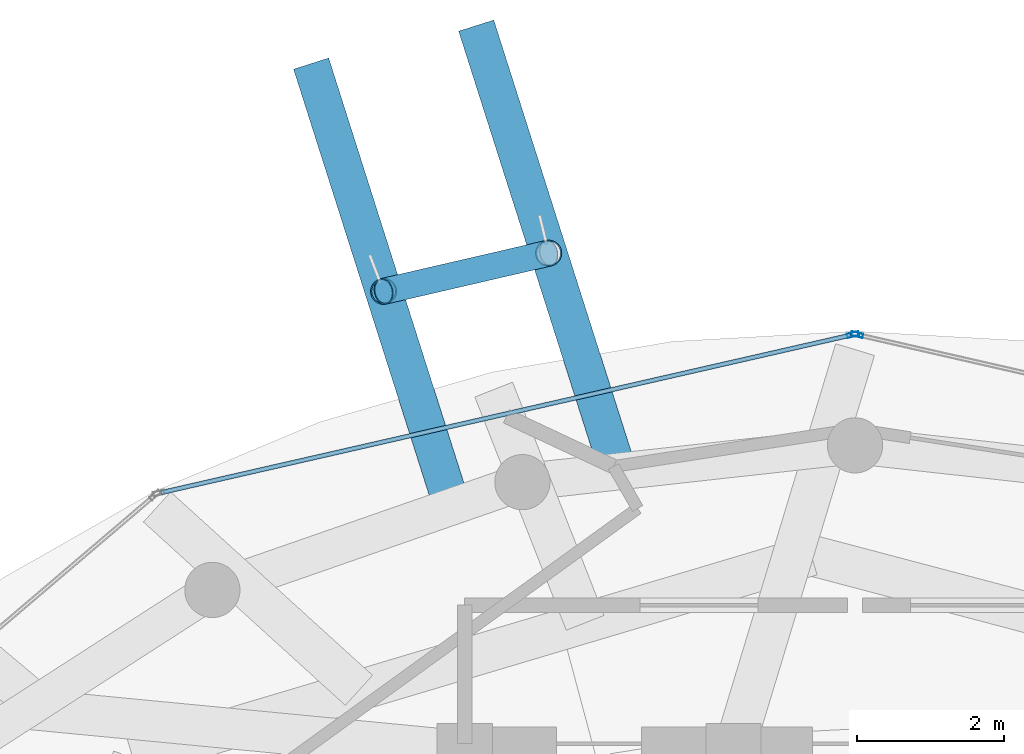
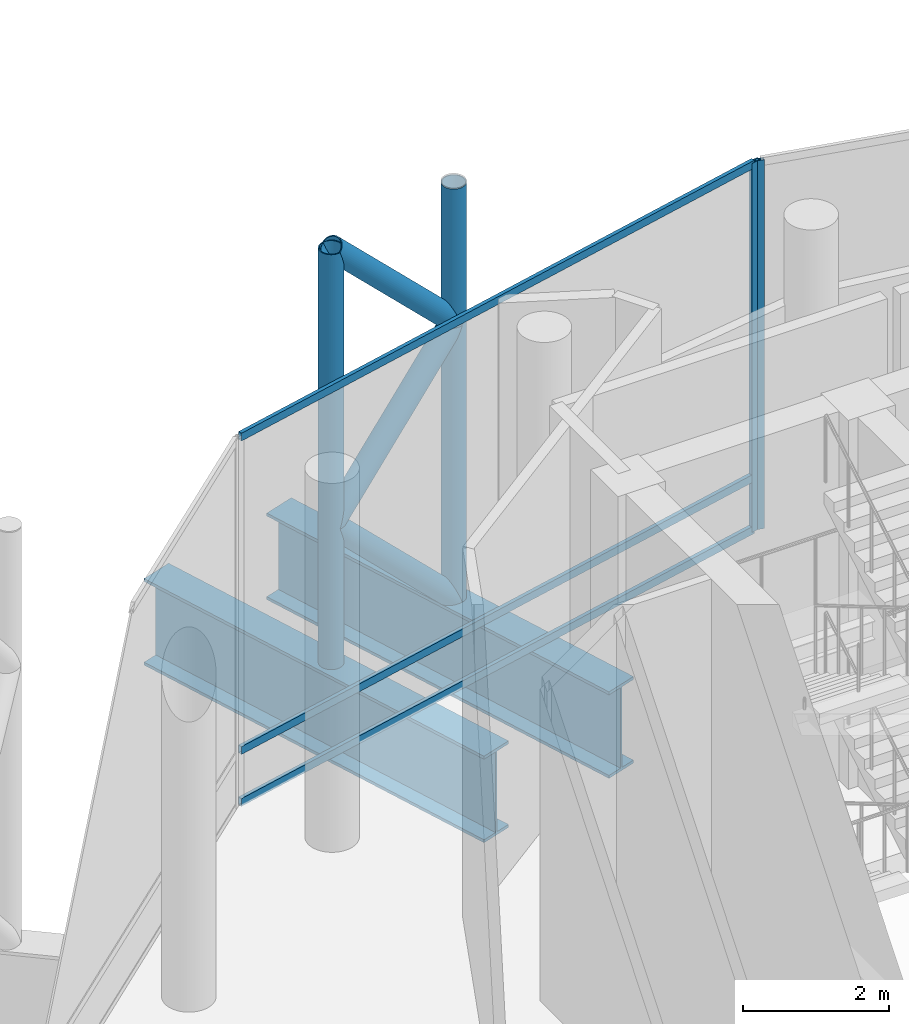
# One storey, part 18 of 26: 10 members, 2 beams, 2 elements without a shape of their own.
"""IFC4 building model written with IfcOpenShell, lengths in metres."""

from ifc_helpers import new_model, si_unit, direction, frame, origin, origin_2d, place, context, subcontext, project, spatial, hollow_rectangle, hollow_circle, i_section, extrude, material, layer, layer_set, material_profile, profile_set, type_object, element, aggregate, save


model = new_model("IFC4")

# Units and contexts
model_context = context("Model", 3, precision=1e-05, world=origin(), true_north=direction((0.0, 1.0)))
body_context = subcontext(model_context, "Body", "Model", "MODEL_VIEW")
ifc_project = project(units=[si_unit("LENGTHUNIT", "METRE"), si_unit("AREAUNIT", "SQUARE_METRE"), si_unit("VOLUMEUNIT", "CUBIC_METRE"), si_unit("PLANEANGLEUNIT", "RADIAN"), si_unit("MASSUNIT", "GRAM", prefix="KILO")], contexts=[model_context])

# Site, building, storey
site_placement = place(None, origin())
site = spatial("IfcSite", under=ifc_project, at=site_placement, CompositionType="ELEMENT")
building_placement = place(site_placement, origin())
building = spatial("IfcBuilding", under=site, at=building_placement, Name="Nuhasar Tower", CompositionType="ELEMENT")
storey_placement = place(building_placement, frame((0.0, 0.0, 306.800048828125)))
storey = spatial("IfcBuildingStorey", under=building, at=storey_placement, Name="L76", CompositionType="ELEMENT", Elevation=306.800048828125)

# Beams
ifc_material_1 = material(Name="Steel S460", Category="steel")
ifc_material_profile_1 = material_profile(ifc_material_1, i_section(OverallWidth=0.5, OverallDepth=1.449951171875, WebThickness=0.028076171875, FlangeThickness=0.050048828125, at=origin_2d()), Name="PG1450X500")
ifc_profile_set_1 = profile_set([ifc_material_profile_1], Name="Steel S460")
beam_type = type_object("IfcBeamType", Name="BM-XFER-PG1450", PredefinedType="USERDEFINED", material=ifc_profile_set_1)
beam_1_placement = place(storey_placement, frame((35.784912109375, 41.094970703125, -1.074951171875), z_axis=(-0.30344948656, 0.952847526683, 0.0), x_axis=(-0.952847526683, -0.30344948656, 0.0)))
element("IfcBeam", 1, at=beam_1_placement, inside=storey, type_object=beam_type, Name="L76 Exoskeleton Step Transfer Girder 07", ObjectType="GIRDER", PredefinedType="USERDEFINED", context=body_context, shape_type="SweptSolid", body=[
    extrude(i_section(OverallWidth=0.5, OverallDepth=1.449951171875, WebThickness=0.028076171875, FlangeThickness=0.050048828125, at=origin_2d()), origin(), (0.0, 0.0, 1.0), 6.353515625),
])
beam_2_placement = place(storey_placement, frame((33.530029296875, 40.618896484375, -1.074951171875), z_axis=(-0.303270715851, 0.952904440596, 0.0), x_axis=(-0.952904440596, -0.303270715851, 0.0)))
element("IfcBeam", 2, at=beam_2_placement, inside=storey, type_object=beam_type, Name="L76 Exoskeleton Step Transfer Girder 08", ObjectType="GIRDER", PredefinedType="USERDEFINED", context=body_context, shape_type="SweptSolid", body=[
    extrude(i_section(OverallWidth=0.5, OverallDepth=1.449951171875, WebThickness=0.028076171875, FlangeThickness=0.050048828125, at=origin_2d()), origin(), (0.0, 0.0, 1.0), 6.311279296875),
])

# Curtain wall, member
ifc_material_2 = material(Name="Aluminium 6063-T6", Category="aluminium")
ifc_layer = layer(ifc_material_2, 0.239990234375)
ifc_layer_set = layer_set([ifc_layer], Name="Aluminium 6063-T6")
curtain_wall_type = type_object("IfcCurtainWallType", Name="CW-SKY-LBY", PredefinedType="NOTDEFINED", material=ifc_layer_set)
curtain_wall_1_placement = place(storey_placement, origin())
curtain_wall_1 = element("IfcCurtainWall", 3, at=curtain_wall_1_placement, inside=storey, type_object=curtain_wall_type, Name="L76 Unitised Curtain Wall 03", PredefinedType="NOTDEFINED")
ifc_material_profile_2 = material_profile(ifc_material_2, hollow_rectangle(XDim=0.06005859375, YDim=0.159912109375, WallThickness=0.0048828125, at=origin_2d()), Name="CWM-6")
ifc_profile_set_2 = profile_set([ifc_material_profile_2], Name="Aluminium 6063-T6")
member_type_1 = type_object("IfcMemberType", Name="CW-MUL-S6", PredefinedType="MULLION", material=ifc_profile_set_2)
member_1_placement = place(storey_placement, frame((39.029296875, 42.953369140625, 0.0), z_axis=(0.0, 0.0, 1.0), x_axis=(-0.222643296147, -0.974899975731, 0.0)))
member_1 = element("IfcMember", 4, at=member_1_placement, type_object=member_type_1, Name="CW-SL mullion 2", PredefinedType="MULLION", context=body_context, shape_type="SweptSolid", body=[
    extrude(hollow_rectangle(XDim=0.06005859375, YDim=0.159912109375, WallThickness=0.0048828125, at=origin_2d()), origin(), (0.0, 0.0, 1.0), 6.179931640625),
])
aggregate(curtain_wall_1, [member_1])

# Curtain wall, members
curtain_wall_2_placement = place(storey_placement, origin())
curtain_wall_2 = element("IfcCurtainWall", 5, at=curtain_wall_2_placement, inside=storey, type_object=curtain_wall_type, Name="L76 Unitised Curtain Wall 04", PredefinedType="NOTDEFINED")
member_2_placement = place(storey_placement, frame((38.970703125, 42.953369140625, 0.0), z_axis=(0.0, 0.0, 1.0), x_axis=(0.222643296147, -0.974899975731, 0.0)))
member_2 = element("IfcMember", 6, at=member_2_placement, type_object=member_type_1, Name="CW-SL mullion 1", PredefinedType="MULLION", context=body_context, shape_type="SweptSolid", body=[
    extrude(hollow_rectangle(XDim=0.06005859375, YDim=0.159912109375, WallThickness=0.0048828125, at=origin_2d()), origin(), (0.0, 0.0, 1.0), 6.179931640625),
])
ifc_material_profile_3 = material_profile(ifc_material_2, hollow_rectangle(XDim=0.06005859375, YDim=0.1298828125, WallThickness=0.00439453125, at=origin_2d()), Name="CWT-6")
ifc_profile_set_3 = profile_set([ifc_material_profile_3], Name="Aluminium 6063-T6")
member_type_2 = type_object("IfcMemberType", Name="CW-TRN-S6", PredefinedType="USERDEFINED", material=ifc_profile_set_3)
member_3_placement = place(storey_placement, frame((38.94140625, 42.946533203125, 0.030029296875), z_axis=(-0.974901087425, -0.222638428257, 0.0), x_axis=(0.222638428257, -0.974901087425, 0.0)))
member_3 = element("IfcMember", 7, at=member_3_placement, type_object=member_type_2, Name="CW-SL transom 1.1", ObjectType="TRANSOM", PredefinedType="USERDEFINED", context=body_context, shape_type="SweptSolid", body=[
    extrude(hollow_rectangle(XDim=0.06005859375, YDim=0.1298828125, WallThickness=0.00439453125, at=origin_2d()), origin(), (0.0, 0.0, 1.0), 9.603759765625),
])
member_4_placement = place(storey_placement, frame((38.94140625, 42.946533203125, 0.89990234375), z_axis=(-0.974901087425, -0.222638428257, 0.0), x_axis=(0.222638428257, -0.974901087425, 0.0)))
member_4 = element("IfcMember", 8, at=member_4_placement, type_object=member_type_2, Name="CW-SL transom 1.2", ObjectType="TRANSOM", PredefinedType="USERDEFINED", context=body_context, shape_type="SweptSolid", body=[
    extrude(hollow_rectangle(XDim=0.06005859375, YDim=0.1298828125, WallThickness=0.00439453125, at=origin_2d()), origin(), (0.0, 0.0, 1.0), 9.603759765625),
])
member_5_placement = place(storey_placement, frame((38.94140625, 42.946533203125, 6.14990234375), z_axis=(-0.974901087425, -0.222638428257, 0.0), x_axis=(0.222638428257, -0.974901087425, 0.0)))
member_5 = element("IfcMember", 9, at=member_5_placement, type_object=member_type_2, Name="CW-SL transom 1.3", ObjectType="TRANSOM", PredefinedType="USERDEFINED", context=body_context, shape_type="SweptSolid", body=[
    extrude(hollow_rectangle(XDim=0.06005859375, YDim=0.1298828125, WallThickness=0.00439453125, at=origin_2d()), origin(), (0.0, 0.0, 1.0), 9.603759765625),
])
aggregate(curtain_wall_2, [member_2, member_3, member_4, member_5])

# Members
ifc_material_profile_4 = material_profile(ifc_material_1, hollow_circle(Radius=0.177734375, WallThickness=0.015869140625, at=origin_2d()), Name="HSS355.6X15.9")
ifc_profile_set_4 = profile_set([ifc_material_profile_4], Name="Steel S460")
member_type_3 = type_object("IfcMemberType", Name="EXO-BRONZE-356", PredefinedType="BRACE", material=ifc_profile_set_4)
for number, where, z_axis, x_axis, name in (
    (10, (34.841064453125, 44.05908203125, -0.35009765625), (0.0, 0.0, 1.0), (1.0, 0.0, 0.0), "L76 Exoskeleton Chord Column EC-04A"),
    (11, (32.60009765625, 43.541015625, -0.35009765625), (0.0, 0.0, 1.0), (1.0, 0.0, 0.0), "L76 Exoskeleton Chord Column EC-04B"),
):
    element("IfcMember", number, at=place(storey_placement, frame(where, z_axis=z_axis, x_axis=x_axis)), inside=storey, type_object=member_type_3, Name=name, PredefinedType="BRACE", context=body_context, shape_type="SweptSolid", body=[
        extrude(hollow_circle(Radius=0.177734375, WallThickness=0.015869140625, at=origin_2d()), origin(), (0.0, 0.0, 1.0), 6.949951171875),
    ])
member_6_placement = place(storey_placement, frame((34.841064453125, 44.05908203125, -0.35009765625), z_axis=(-0.68638516561, -0.158678431357, 0.709715830352), x_axis=(0.225239345014, -0.974303462715, 0.0)))
element("IfcMember", 12, at=member_6_placement, inside=storey, type_object=member_type_3, Name="L76 Bronze Diagrid Brace W1-04", PredefinedType="BRACE", context=body_context, shape_type="SweptSolid", body=[
    extrude(hollow_circle(Radius=0.177734375, WallThickness=0.015869140625, at=origin_2d()), origin(), (0.0, 0.0, 1.0), 3.264892578125),
])
member_7_placement = place(storey_placement, frame((32.60009765625, 43.541015625, 1.967041015625), z_axis=(0.686567325751, 0.158720543114, 0.709530194146), x_axis=(-0.225239345014, 0.974303462715, 0.0)))
element("IfcMember", 13, at=member_7_placement, inside=storey, type_object=member_type_3, Name="L76 Bronze Diagrid Brace W2-04", PredefinedType="BRACE", context=body_context, shape_type="SweptSolid", body=[
    extrude(hollow_circle(Radius=0.177734375, WallThickness=0.015869140625, at=origin_2d()), origin(), (0.0, 0.0, 1.0), 3.263916015625),
])
member_8_placement = place(storey_placement, frame((34.841064453125, 44.05908203125, 4.282958984375), z_axis=(-0.686421593716, -0.158686852802, 0.709678714932), x_axis=(0.225239345014, -0.974303462715, 0.0)))
element("IfcMember", 14, at=member_8_placement, inside=storey, type_object=member_type_3, Name="L76 Bronze Diagrid Brace W3-04", PredefinedType="BRACE", context=body_context, shape_type="SweptSolid", body=[
    extrude(hollow_circle(Radius=0.177734375, WallThickness=0.015869140625, at=origin_2d()), origin(), (0.0, 0.0, 1.0), 3.2646484375),
])

save(model, "model.ifc")
